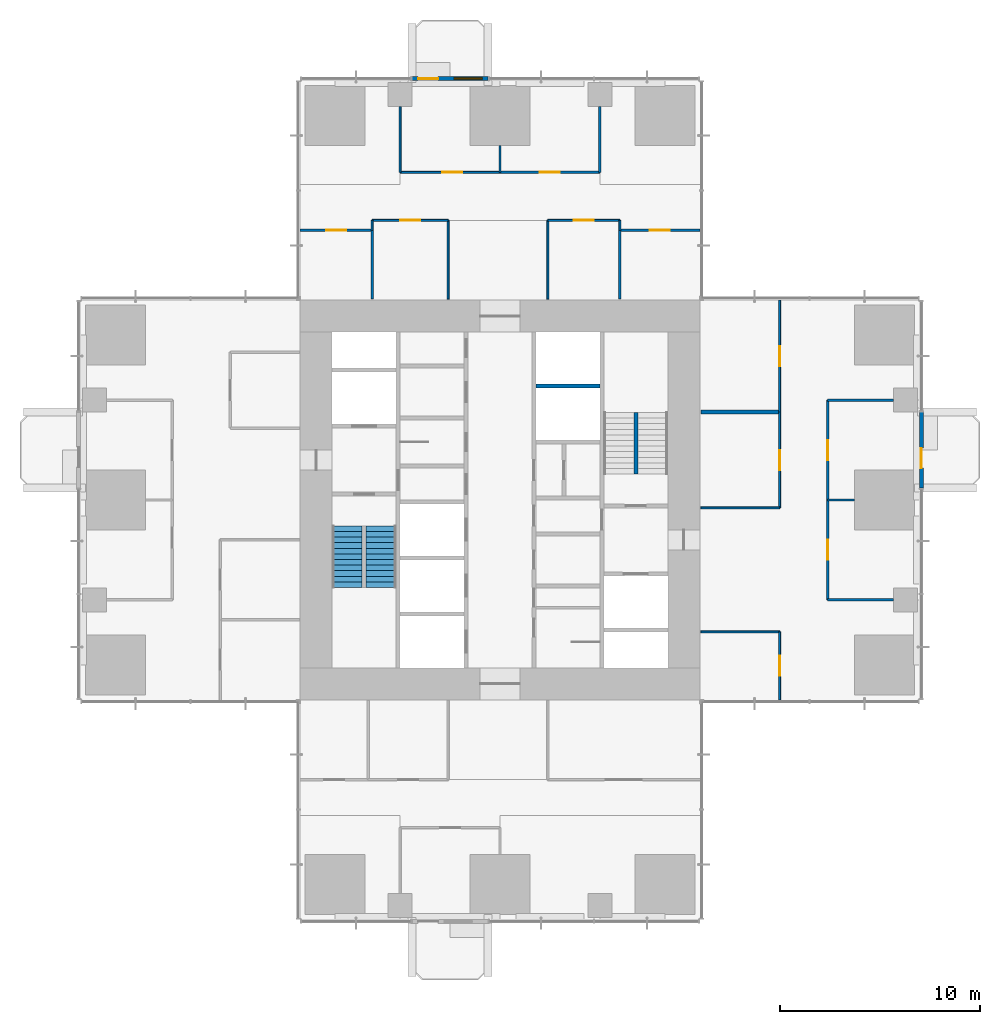
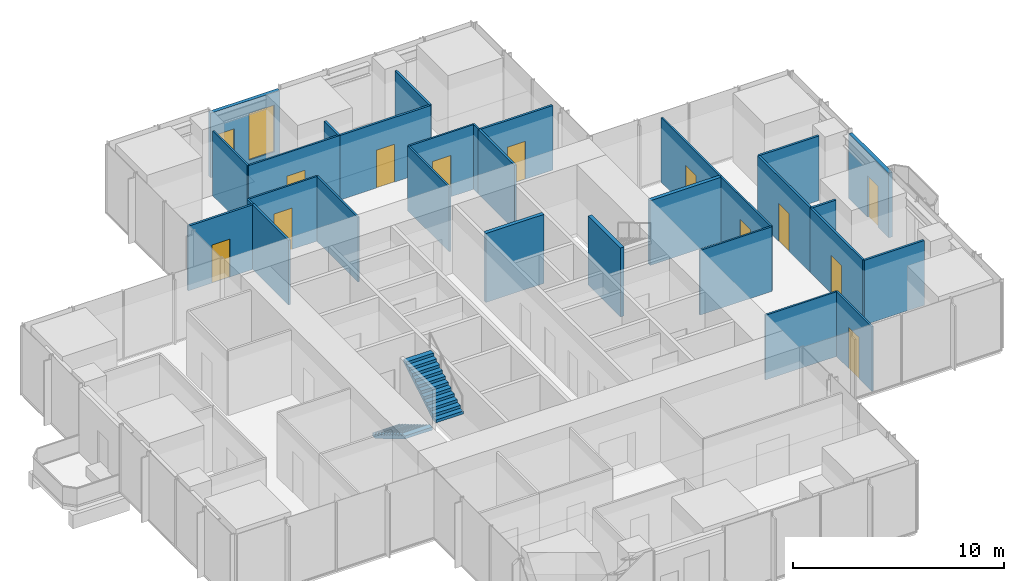
# One storey, part 10 of 14: 30 walls, 13 doors, 2 stair flights, 1 window, 14 openings, 1 element without a shape of its own.
"""IFC4 building model written with IfcOpenShell, lengths in metres."""

from ifc_helpers import new_model, si_unit, direction, frame, frame_2d, origin, place, context, subcontext, project, spatial, polyline, rectangle, outline, extrude, material, layer, layer_set, type_object, element, fill, aggregate, save


model = new_model("IFC4")

# Units and contexts
model_context = context("Model", 3, precision=1e-05, world=origin(), true_north=direction((0.0, 1.0)))
body_context = subcontext(model_context, "Body", "Model", "MODEL_VIEW")
ifc_project = project(units=[si_unit("LENGTHUNIT", "METRE"), si_unit("AREAUNIT", "SQUARE_METRE"), si_unit("VOLUMEUNIT", "CUBIC_METRE"), si_unit("PLANEANGLEUNIT", "RADIAN"), si_unit("MASSUNIT", "GRAM", prefix="KILO")], contexts=[model_context])

# Site, building, storey
site_placement = place(None, origin())
site = spatial("IfcSite", under=ifc_project, at=site_placement, CompositionType="ELEMENT")
building_placement = place(site_placement, origin())
building = spatial("IfcBuilding", under=site, at=building_placement, Name="Svetlomir Tower", CompositionType="ELEMENT")
storey_placement = place(building_placement, frame((0.0, 0.0, 108.5)))
storey = spatial("IfcBuildingStorey", under=building, at=storey_placement, Name="L25", CompositionType="ELEMENT", Elevation=108.5)

# Wall
ifc_material_1 = material(Name="Gypsum board on twin steel studs", Category="steel")
ifc_layer_1 = layer(ifc_material_1, 0.199951171875)
ifc_layer_set_1 = layer_set([ifc_layer_1], Name="Gypsum board on twin steel studs")
wall_type_1 = type_object("IfcWallType", Name="ACOUSTIC PARTITION 200", PredefinedType="PARTITIONING", material=ifc_layer_set_1)
wall_1_placement = place(storey_placement, frame((31.050048828125, 25.39990234375, 0.0), z_axis=(0.0, 0.0, 1.0), x_axis=(1.0, 0.0, 0.0)))
element("IfcWall", 1, at=wall_1_placement, inside=storey, type_object=wall_type_1, Name="Acoustic partition L25", PredefinedType="PARTITIONING", context=body_context, shape_type="SweptSolid", body=[
    extrude(rectangle(XDim=3.949951171875, YDim=0.199951171875, at=frame_2d((1.97509765625, 0.0))), origin(), (0.0, 0.0, 1.0), 3.75),
])

# Wall, opening, door
ifc_material_2 = material(Name="Bronze anodised aluminium glazed screen", Category="aluminium")
ifc_layer_2 = layer(ifc_material_2, 0.199951171875)
ifc_layer_set_2 = layer_set([ifc_layer_2], Name="Bronze anodised aluminium glazed screen")
wall_type_2 = type_object("IfcWallType", Name="BALCONY SCREEN WALL 200", PredefinedType="USERDEFINED", material=ifc_layer_set_2)
wall_2_placement = place(storey_placement, frame((42.10009765625, 21.60009765625, 0.0), z_axis=(0.0, 0.0, 1.0), x_axis=(0.0, 1.0, 0.0)))
wall_2 = element("IfcWall", 2, at=wall_2_placement, inside=storey, type_object=wall_type_2, Name="Balcony screen E", ObjectType="GLAZED SCREEN", PredefinedType="USERDEFINED", context=body_context, shape_type="SweptSolid", body=[
    extrude(rectangle(XDim=3.7998046875, YDim=0.199951171875, at=frame_2d((1.89990234375, 0.0))), origin(), (0.0, 0.0, 1.0), 3.75),
])
opening_1_placement = place(wall_2_placement, frame((1.0, 0.0, 0.0)))
opening_1 = element("IfcOpeningElement", 3, at=opening_1_placement, cuts=wall_2, Name="Opening BD", PredefinedType="OPENING", context=body_context, shape_type="SweptSolid", body=[
    extrude(rectangle(XDim=1.0, YDim=2.39990234375, at=frame_2d((0.5, 1.199951171875))), frame((0.0, 0.10986328125, 0.0), z_axis=(0.0, -1.0, 0.0), x_axis=(1.0, 0.0, 0.0)), (0.0, 0.0, 1.0), 0.219970703125),
])
ifc_material_3 = material(Name="Bronze anodised aluminium glazed door", Category="aluminium")
door_type_1 = type_object("IfcDoorType", Name="BALCONY DOOR BD 1000x2400", OperationType="SINGLE_SWING_LEFT", PredefinedType="DOOR", material=ifc_material_3)
door_1_placement = place(opening_1_placement, origin())
door_1 = element("IfcDoor", 4, at=door_1_placement, inside=storey, type_object=door_type_1, Name="Balcony screen E door", OperationType="SINGLE_SWING_LEFT", OverallHeight=2.39990234375, OverallWidth=1.0, PredefinedType="DOOR", context=body_context, shape_type="SweptSolid", body=[
    extrude(rectangle(XDim=1.0, YDim=2.39990234375, at=frame_2d((0.5, 1.199951171875))), frame((0.0, 0.02490234375, 0.0), z_axis=(0.0, -1.0, 0.0), x_axis=(1.0, 0.0, 0.0)), (0.0, 0.0, 1.0), 0.050048828125),
])
fill(opening_1, door_1)

# Wall, openings, door, window
wall_3_placement = place(storey_placement, frame((20.39990234375, 42.10009765625, 0.0), z_axis=(0.0, 0.0, 1.0), x_axis=(-1.0, 0.0, 0.0)))
wall_3 = element("IfcWall", 5, at=wall_3_placement, inside=storey, type_object=wall_type_2, Name="Balcony screen N", ObjectType="GLAZED SCREEN", PredefinedType="USERDEFINED", context=body_context, shape_type="SweptSolid", body=[
    extrude(rectangle(XDim=3.7998046875, YDim=0.199951171875, at=frame_2d((1.89990234375, 0.0))), origin(), (0.0, 0.0, 1.0), 3.75),
])
opening_2_placement = place(wall_3_placement, frame((2.5, 0.0, 0.0)))
opening_2 = element("IfcOpeningElement", 6, at=opening_2_placement, cuts=wall_3, Name="Opening BD", PredefinedType="OPENING", context=body_context, shape_type="SweptSolid", body=[
    extrude(rectangle(XDim=1.0, YDim=2.39990234375, at=frame_2d((0.5, 1.199951171875))), frame((0.0, 0.10986328125, 0.0), z_axis=(0.0, -1.0, 0.0), x_axis=(1.0, 0.0, 0.0)), (0.0, 0.0, 1.0), 0.219970703125),
])
opening_3_placement = place(wall_3_placement, frame((0.300048828125, 0.0, 0.300048828125)))
opening_3 = element("IfcOpeningElement", 7, at=opening_3_placement, cuts=wall_3, Name="Opening WS2", PredefinedType="OPENING", context=body_context, shape_type="SweptSolid", body=[
    extrude(rectangle(XDim=1.39990234375, YDim=2.699951171875, at=frame_2d((0.699951171875, 1.35009765625))), frame((0.0, 0.10986328125, 0.0), z_axis=(0.0, -1.0, 0.0), x_axis=(1.0, 0.0, 0.0)), (0.0, 0.0, 1.0), 0.219970703125),
])
door_2_placement = place(opening_2_placement, origin())
door_2 = element("IfcDoor", 8, at=door_2_placement, inside=storey, type_object=door_type_1, Name="Balcony screen N door", OperationType="SINGLE_SWING_LEFT", OverallHeight=2.39990234375, OverallWidth=1.0, PredefinedType="DOOR", context=body_context, shape_type="SweptSolid", body=[
    extrude(rectangle(XDim=1.0, YDim=2.39990234375, at=frame_2d((0.5, 1.199951171875))), frame((0.0, 0.02490234375, 0.0), z_axis=(0.0, -1.0, 0.0), x_axis=(1.0, 0.0, 0.0)), (0.0, 0.0, 1.0), 0.050048828125),
])
fill(opening_2, door_2)
ifc_material_4 = material(Name="Bronze anodised aluminium window", Category="aluminium")
window_type = type_object("IfcWindowType", Name="SCREEN WINDOW WS2 1400x2700", PartitioningType="SINGLE_PANEL", PredefinedType="WINDOW", material=ifc_material_4)
window_placement = place(opening_3_placement, origin())
window = element("IfcWindow", 9, at=window_placement, inside=storey, type_object=window_type, Name="Balcony screen N window 1", OverallHeight=2.699951171875, OverallWidth=1.39990234375, PartitioningType="SINGLE_PANEL", PredefinedType="WINDOW", context=body_context, shape_type="SweptSolid", body=[
    extrude(rectangle(XDim=1.39990234375, YDim=2.699951171875, at=frame_2d((0.699951171875, 1.35009765625))), frame((0.0, 0.030029296875, 0.0), z_axis=(0.0, -1.0, 0.0), x_axis=(1.0, 0.0, 0.0)), (0.0, 0.0, 1.0), 0.06005859375),
])
fill(opening_3, window)

# Walls
ifc_material_5 = material(Name="Concrete C60/75", Category="concrete")
ifc_layer_3 = layer(ifc_material_5, 0.199951171875)
ifc_layer_set_3 = layer_set([ifc_layer_3], Name="Concrete C60/75")
wall_type_3 = type_object("IfcWallType", Name="CORE INNER WALL 200", PredefinedType="SHEAR", material=ifc_layer_set_3)
wall_4_placement = place(storey_placement, frame((22.800048828125, 26.699951171875, -0.050048828125), z_axis=(0.0, 0.0, 1.0), x_axis=(1.0, 0.0, 0.0)))
element("IfcWall", 10, at=wall_4_placement, inside=storey, type_object=wall_type_3, Name="Core inner wall 22.8-26/26.7 L25", PredefinedType="SHEAR", context=body_context, shape_type="SweptSolid", body=[
    extrude(rectangle(XDim=3.199951171875, YDim=0.199951171875, at=frame_2d((1.60009765625, 0.0))), origin(), (0.0, 0.0, 1.0), 4.0),
])
ifc_material_6 = material(Name="Framed laminated glass partition", Category="glass")
ifc_layer_4 = layer(ifc_material_6, 0.10009765625)
ifc_layer_set_4 = layer_set([ifc_layer_4], Name="Framed laminated glass partition")
wall_type_4 = type_object("IfcWallType", Name="GLAZED PARTITION 100", PredefinedType="PARTITIONING", material=ifc_layer_set_4)
wall_5_placement = place(storey_placement, frame((14.60009765625, 34.5, 0.0), z_axis=(0.0, 0.0, 1.0), x_axis=(0.0, 1.0, 0.0)))
element("IfcWall", 11, at=wall_5_placement, inside=storey, type_object=wall_type_4, Name="Glazed partition L25", PredefinedType="PARTITIONING", context=body_context, shape_type="SweptSolid", body=[
    extrude(rectangle(XDim=0.5, YDim=0.10009765625, at=frame_2d((0.25, 0.0))), origin(), (0.0, 0.0, 1.0), 3.75),
])

# Wall, opening, door
wall_6_placement = place(storey_placement, frame((14.60009765625, 35.0, 0.0), z_axis=(0.0, 0.0, 1.0), x_axis=(1.0, 0.0, 0.0)))
wall_6 = element("IfcWall", 12, at=wall_6_placement, inside=storey, type_object=wall_type_4, Name="Glazed partition L25", PredefinedType="PARTITIONING", context=body_context, shape_type="SweptSolid", body=[
    extrude(rectangle(XDim=3.7998046875, YDim=0.10009765625, at=frame_2d((1.89990234375, 0.0))), origin(), (0.0, 0.0, 1.0), 3.75),
])
opening_4_placement = place(wall_6_placement, frame((1.39990234375, 0.0, 0.0)))
opening_4 = element("IfcOpeningElement", 13, at=opening_4_placement, cuts=wall_6, Name="Opening DG", PredefinedType="OPENING", context=body_context, shape_type="SweptSolid", body=[
    extrude(rectangle(XDim=1.0, YDim=2.39990234375, at=frame_2d((0.5, 1.199951171875))), frame((0.0, 0.06005859375, 0.0), z_axis=(0.0, -1.0, 0.0), x_axis=(1.0, 0.0, 0.0)), (0.0, 0.0, 1.0), 0.1201171875),
])
ifc_material_7 = material(Name="Framed laminated glass door", Category="glass")
door_type_2 = type_object("IfcDoorType", Name="GLAZED DOOR DG 1000x2400", OperationType="SINGLE_SWING_LEFT", PredefinedType="DOOR", material=ifc_material_7)
door_3_placement = place(opening_4_placement, origin())
door_3 = element("IfcDoor", 14, at=door_3_placement, inside=storey, type_object=door_type_2, Name="Focus room 2 door L25", OperationType="SINGLE_SWING_LEFT", OverallHeight=2.39990234375, OverallWidth=1.0, PredefinedType="DOOR", context=body_context, shape_type="SweptSolid", body=[
    extrude(rectangle(XDim=1.0, YDim=2.39990234375, at=frame_2d((0.5, 1.199951171875))), frame((0.0, 0.02490234375, 0.0), z_axis=(0.0, -1.0, 0.0), x_axis=(1.0, 0.0, 0.0)), (0.0, 0.0, 1.0), 0.050048828125),
])
fill(opening_4, door_3)

# Wall
wall_7_placement = place(storey_placement, frame((16.0, 37.39990234375, 0.0), z_axis=(0.0, 0.0, 1.0), x_axis=(0.0, 1.0, 0.0)))
element("IfcWall", 15, at=wall_7_placement, inside=storey, type_object=wall_type_4, Name="Glazed partition L25", PredefinedType="PARTITIONING", context=body_context, shape_type="SweptSolid", body=[
    extrude(rectangle(XDim=3.2900390625, YDim=0.10009765625, at=frame_2d((1.64501953125, 0.0))), origin(), (0.0, 0.0, 1.0), 3.75),
])

# Wall, opening, door
wall_8_placement = place(storey_placement, frame((16.0, 37.39990234375, 0.0), z_axis=(0.0, 0.0, 1.0), x_axis=(1.0, 0.0, 0.0)))
wall_8 = element("IfcWall", 16, at=wall_8_placement, inside=storey, type_object=wall_type_4, Name="Glazed partition L25", PredefinedType="PARTITIONING", context=body_context, shape_type="SweptSolid", body=[
    extrude(rectangle(XDim=5.0, YDim=0.10009765625, at=frame_2d((2.5, 0.0))), origin(), (0.0, 0.0, 1.0), 3.75),
])
opening_5_placement = place(wall_8_placement, frame((2.10009765625, 0.0, 0.0)))
opening_5 = element("IfcOpeningElement", 17, at=opening_5_placement, cuts=wall_8, Name="Opening DG", PredefinedType="OPENING", context=body_context, shape_type="SweptSolid", body=[
    extrude(rectangle(XDim=1.0, YDim=2.39990234375, at=frame_2d((0.5, 1.199951171875))), frame((0.0, 0.06005859375, 0.0), z_axis=(0.0, -1.0, 0.0), x_axis=(1.0, 0.0, 0.0)), (0.0, 0.0, 1.0), 0.1201171875),
])
door_4_placement = place(opening_5_placement, origin())
door_4 = element("IfcDoor", 18, at=door_4_placement, inside=storey, type_object=door_type_2, Name="Law library door L25", OperationType="SINGLE_SWING_RIGHT", OverallHeight=2.39990234375, OverallWidth=1.0, PredefinedType="DOOR", context=body_context, shape_type="SweptSolid", body=[
    extrude(rectangle(XDim=1.0, YDim=2.39990234375, at=frame_2d((0.5, 1.199951171875))), frame((0.0, 0.02490234375, 0.0), z_axis=(0.0, -1.0, 0.0), x_axis=(1.0, 0.0, 0.0)), (0.0, 0.0, 1.0), 0.050048828125),
])
fill(opening_5, door_4)

# Walls
for number, where, z_axis, x_axis, name in (
    (19, (18.39990234375, 31.050048828125, 0.0), (0.0, 0.0, 1.0), (0.0, 1.0, 0.0), "Glazed partition L25"),
    (20, (23.39990234375, 31.050048828125, 0.0), (0.0, 0.0, 1.0), (0.0, 1.0, 0.0), "Glazed partition L25"),
):
    element("IfcWall", number, at=place(storey_placement, frame(where, z_axis=z_axis, x_axis=x_axis)), inside=storey, type_object=wall_type_4, Name=name, PredefinedType="PARTITIONING", context=body_context, shape_type="SweptSolid", body=[
        extrude(rectangle(XDim=3.949951171875, YDim=0.10009765625, at=frame_2d((1.97509765625, 0.0))), origin(), (0.0, 0.0, 1.0), 3.75),
    ])

# Wall, opening, door
wall_9_placement = place(storey_placement, frame((23.39990234375, 35.0, 0.0), z_axis=(0.0, 0.0, 1.0), x_axis=(1.0, 0.0, 0.0)))
wall_9 = element("IfcWall", 21, at=wall_9_placement, inside=storey, type_object=wall_type_4, Name="Glazed partition L25", PredefinedType="PARTITIONING", context=body_context, shape_type="SweptSolid", body=[
    extrude(rectangle(XDim=3.60009765625, YDim=0.10009765625, at=frame_2d((1.800048828125, 0.0))), origin(), (0.0, 0.0, 1.0), 3.75),
])
opening_6_placement = place(wall_9_placement, frame((1.300048828125, 0.0, 0.0)))
opening_6 = element("IfcOpeningElement", 22, at=opening_6_placement, cuts=wall_9, Name="Opening DG", PredefinedType="OPENING", context=body_context, shape_type="SweptSolid", body=[
    extrude(rectangle(XDim=1.0, YDim=2.39990234375, at=frame_2d((0.5, 1.199951171875))), frame((0.0, 0.06005859375, 0.0), z_axis=(0.0, -1.0, 0.0), x_axis=(1.0, 0.0, 0.0)), (0.0, 0.0, 1.0), 0.1201171875),
])
door_5_placement = place(opening_6_placement, origin())
door_5 = element("IfcDoor", 23, at=door_5_placement, inside=storey, type_object=door_type_2, Name="Focus room 3 door L25", OperationType="SINGLE_SWING_RIGHT", OverallHeight=2.39990234375, OverallWidth=1.0, PredefinedType="DOOR", context=body_context, shape_type="SweptSolid", body=[
    extrude(rectangle(XDim=1.0, YDim=2.39990234375, at=frame_2d((0.5, 1.199951171875))), frame((0.0, 0.02490234375, 0.0), z_axis=(0.0, -1.0, 0.0), x_axis=(1.0, 0.0, 0.0)), (0.0, 0.0, 1.0), 0.050048828125),
])
fill(opening_6, door_5)

# Walls
wall_10_placement = place(storey_placement, frame((27.0, 34.5, 0.0), z_axis=(0.0, 0.0, 1.0), x_axis=(0.0, 1.0, 0.0)))
element("IfcWall", 24, at=wall_10_placement, inside=storey, type_object=wall_type_4, Name="Glazed partition L25", PredefinedType="PARTITIONING", context=body_context, shape_type="SweptSolid", body=[
    extrude(rectangle(XDim=0.5, YDim=0.10009765625, at=frame_2d((0.25, 0.0))), origin(), (0.0, 0.0, 1.0), 3.75),
])
for number, where, z_axis, x_axis, name in (
    (25, (31.050048828125, 14.39990234375, 0.0), (0.0, 0.0, 1.0), (1.0, 0.0, 0.0), "Glazed partition L25"),
    (26, (31.050048828125, 20.60009765625, 0.0), (0.0, 0.0, 1.0), (1.0, 0.0, 0.0), "Glazed partition L25"),
):
    element("IfcWall", number, at=place(storey_placement, frame(where, z_axis=z_axis, x_axis=x_axis)), inside=storey, type_object=wall_type_4, Name=name, PredefinedType="PARTITIONING", context=body_context, shape_type="SweptSolid", body=[
        extrude(rectangle(XDim=3.949951171875, YDim=0.10009765625, at=frame_2d((1.97509765625, 0.0))), origin(), (0.0, 0.0, 1.0), 3.75),
    ])

# Wall, opening, door
wall_11_placement = place(storey_placement, frame((35.0, 11.0, 0.0), z_axis=(0.0, 0.0, 1.0), x_axis=(0.0, 1.0, 0.0)))
wall_11 = element("IfcWall", 27, at=wall_11_placement, inside=storey, type_object=wall_type_4, Name="Glazed partition L25", PredefinedType="PARTITIONING", context=body_context, shape_type="SweptSolid", body=[
    extrude(rectangle(XDim=3.39990234375, YDim=0.10009765625, at=frame_2d((1.699951171875, 0.0))), origin(), (0.0, 0.0, 1.0), 3.75),
])
opening_7_placement = place(wall_11_placement, frame((1.199951171875, 0.0, 0.0)))
opening_7 = element("IfcOpeningElement", 28, at=opening_7_placement, cuts=wall_11, Name="Opening DG", PredefinedType="OPENING", context=body_context, shape_type="SweptSolid", body=[
    extrude(rectangle(XDim=1.0, YDim=2.39990234375, at=frame_2d((0.5, 1.199951171875))), frame((0.0, 0.06005859375, 0.0), z_axis=(0.0, -1.0, 0.0), x_axis=(1.0, 0.0, 0.0)), (0.0, 0.0, 1.0), 0.1201171875),
])
door_6_placement = place(opening_7_placement, origin())
door_6 = element("IfcDoor", 29, at=door_6_placement, inside=storey, type_object=door_type_2, Name="Phone rooms door L25", OperationType="SINGLE_SWING_RIGHT", OverallHeight=2.39990234375, OverallWidth=1.0, PredefinedType="DOOR", context=body_context, shape_type="SweptSolid", body=[
    extrude(rectangle(XDim=1.0, YDim=2.39990234375, at=frame_2d((0.5, 1.199951171875))), frame((0.0, 0.02490234375, 0.0), z_axis=(0.0, -1.0, 0.0), x_axis=(1.0, 0.0, 0.0)), (0.0, 0.0, 1.0), 0.050048828125),
])
fill(opening_7, door_6)

wall_12_placement = place(storey_placement, frame((35.0, 20.60009765625, 0.0), z_axis=(0.0, 0.0, 1.0), x_axis=(0.0, 1.0, 0.0)))
wall_12 = element("IfcWall", 30, at=wall_12_placement, inside=storey, type_object=wall_type_4, Name="Glazed partition L25", PredefinedType="PARTITIONING", context=body_context, shape_type="SweptSolid", body=[
    extrude(rectangle(XDim=4.7998046875, YDim=0.10009765625, at=frame_2d((2.39990234375, 0.0))), origin(), (0.0, 0.0, 1.0), 3.75),
])
opening_8_placement = place(wall_12_placement, frame((1.89990234375, 0.0, 0.0)))
opening_8 = element("IfcOpeningElement", 31, at=opening_8_placement, cuts=wall_12, Name="Opening DG", PredefinedType="OPENING", context=body_context, shape_type="SweptSolid", body=[
    extrude(rectangle(XDim=1.0, YDim=2.39990234375, at=frame_2d((0.5, 1.199951171875))), frame((0.0, 0.06005859375, 0.0), z_axis=(0.0, -1.0, 0.0), x_axis=(1.0, 0.0, 0.0)), (0.0, 0.0, 1.0), 0.1201171875),
])
door_7_placement = place(opening_8_placement, origin())
door_7 = element("IfcDoor", 32, at=door_7_placement, inside=storey, type_object=door_type_2, Name="Meeting room, 8 seats door L25", OperationType="SINGLE_SWING_RIGHT", OverallHeight=2.39990234375, OverallWidth=1.0, PredefinedType="DOOR", context=body_context, shape_type="SweptSolid", body=[
    extrude(rectangle(XDim=1.0, YDim=2.39990234375, at=frame_2d((0.5, 1.199951171875))), frame((0.0, 0.02490234375, 0.0), z_axis=(0.0, -1.0, 0.0), x_axis=(1.0, 0.0, 0.0)), (0.0, 0.0, 1.0), 0.050048828125),
])
fill(opening_8, door_7)

wall_13_placement = place(storey_placement, frame((35.0, 25.39990234375, 0.0), z_axis=(0.0, 0.0, 1.0), x_axis=(0.0, 1.0, 0.0)))
wall_13 = element("IfcWall", 33, at=wall_13_placement, inside=storey, type_object=wall_type_4, Name="Glazed partition L25", PredefinedType="PARTITIONING", context=body_context, shape_type="SweptSolid", body=[
    extrude(rectangle(XDim=5.60009765625, YDim=0.10009765625, at=frame_2d((2.800048828125, 0.0))), origin(), (0.0, 0.0, 1.0), 3.75),
])
opening_9_placement = place(wall_13_placement, frame((2.300048828125, 0.0, 0.0)))
opening_9 = element("IfcOpeningElement", 34, at=opening_9_placement, cuts=wall_13, Name="Opening DG", PredefinedType="OPENING", context=body_context, shape_type="SweptSolid", body=[
    extrude(rectangle(XDim=1.0, YDim=2.39990234375, at=frame_2d((0.5, 1.199951171875))), frame((0.0, 0.06005859375, 0.0), z_axis=(0.0, -1.0, 0.0), x_axis=(1.0, 0.0, 0.0)), (0.0, 0.0, 1.0), 0.1201171875),
])
door_8_placement = place(opening_9_placement, origin())
door_8 = element("IfcDoor", 35, at=door_8_placement, inside=storey, type_object=door_type_2, Name="Data room door L25", OperationType="SINGLE_SWING_LEFT", OverallHeight=2.39990234375, OverallWidth=1.0, PredefinedType="DOOR", context=body_context, shape_type="SweptSolid", body=[
    extrude(rectangle(XDim=1.0, YDim=2.39990234375, at=frame_2d((0.5, 1.199951171875))), frame((0.0, 0.02490234375, 0.0), z_axis=(0.0, -1.0, 0.0), x_axis=(1.0, 0.0, 0.0)), (0.0, 0.0, 1.0), 0.050048828125),
])
fill(opening_9, door_8)

ifc_material_8 = material(Name="Gypsum board on steel studs", Category="steel")
ifc_layer_5 = layer(ifc_material_8, 0.1201171875)
ifc_layer_set_5 = layer_set([ifc_layer_5], Name="Gypsum board on steel studs")
wall_type_5 = type_object("IfcWallType", Name="PARTITION 120", PredefinedType="PARTITIONING", material=ifc_layer_set_5)
wall_14_placement = place(storey_placement, frame((11.0, 34.5, 0.0), z_axis=(0.0, 0.0, 1.0), x_axis=(1.0, 0.0, 0.0)))
wall_14 = element("IfcWall", 36, at=wall_14_placement, inside=storey, type_object=wall_type_5, Name="Partition L25", PredefinedType="PARTITIONING", context=body_context, shape_type="SweptSolid", body=[
    extrude(rectangle(XDim=3.60009765625, YDim=0.1201171875, at=frame_2d((1.800048828125, 0.0))), origin(), (0.0, 0.0, 1.0), 3.75),
])
opening_10_placement = place(wall_14_placement, frame((1.300048828125, 0.0, 0.0)))
opening_10 = element("IfcOpeningElement", 37, at=opening_10_placement, cuts=wall_14, Name="Opening DR", PredefinedType="OPENING", context=body_context, shape_type="SweptSolid", body=[
    extrude(rectangle(XDim=1.0, YDim=2.199951171875, at=frame_2d((0.5, 1.10009765625))), frame((0.0, 0.070068359375, 0.0), z_axis=(0.0, -1.0, 0.0), x_axis=(1.0, 0.0, 0.0)), (0.0, 0.0, 1.0), 0.14013671875),
])
ifc_material_9 = material(Name="Timber door, glazed side light", Category="wood")
door_type_3 = type_object("IfcDoorType", Name="DOOR DR 1000x2200", OperationType="SINGLE_SWING_LEFT", PredefinedType="DOOR", material=ifc_material_9)
door_9_placement = place(opening_10_placement, origin())
door_9 = element("IfcDoor", 38, at=door_9_placement, inside=storey, type_object=door_type_3, Name="Legal archive door L25", OperationType="SINGLE_SWING_RIGHT", OverallHeight=2.199951171875, OverallWidth=1.0, PredefinedType="DOOR", context=body_context, shape_type="SweptSolid", body=[
    extrude(rectangle(XDim=1.0, YDim=2.199951171875, at=frame_2d((0.5, 1.10009765625))), frame((0.0, 0.02490234375, 0.0), z_axis=(0.0, -1.0, 0.0), x_axis=(1.0, 0.0, 0.0)), (0.0, 0.0, 1.0), 0.050048828125),
])
fill(opening_10, door_9)

# Walls
wall_15_placement = place(storey_placement, frame((14.60009765625, 31.050048828125, 0.0), z_axis=(0.0, 0.0, 1.0), x_axis=(0.0, 1.0, 0.0)))
element("IfcWall", 39, at=wall_15_placement, inside=storey, type_object=wall_type_5, Name="Partition L25", PredefinedType="PARTITIONING", context=body_context, shape_type="SweptSolid", body=[
    extrude(rectangle(XDim=3.449951171875, YDim=0.1201171875, at=frame_2d((1.72509765625, 0.0))), origin(), (0.0, 0.0, 1.0), 3.75),
])
wall_16_placement = place(storey_placement, frame((21.0, 37.39990234375, 0.0), z_axis=(0.0, 0.0, 1.0), x_axis=(0.0, 1.0, 0.0)))
element("IfcWall", 40, at=wall_16_placement, inside=storey, type_object=wall_type_5, Name="Partition L25", PredefinedType="PARTITIONING", context=body_context, shape_type="SweptSolid", body=[
    extrude(rectangle(XDim=1.340087890625, YDim=0.1201171875, at=frame_2d((0.669921875, 0.0))), origin(), (0.0, 0.0, 1.0), 3.75),
])

# Wall, opening, door
wall_17_placement = place(storey_placement, frame((21.0, 37.39990234375, 0.0), z_axis=(0.0, 0.0, 1.0), x_axis=(1.0, 0.0, 0.0)))
wall_17 = element("IfcWall", 41, at=wall_17_placement, inside=storey, type_object=wall_type_5, Name="Partition L25", PredefinedType="PARTITIONING", context=body_context, shape_type="SweptSolid", body=[
    extrude(rectangle(XDim=5.0, YDim=0.1201171875, at=frame_2d((2.5, 0.0))), origin(), (0.0, 0.0, 1.0), 3.75),
])
opening_11_placement = place(wall_17_placement, frame((2.0, 0.0, 0.0)))
opening_11 = element("IfcOpeningElement", 42, at=opening_11_placement, cuts=wall_17, Name="Opening DR", PredefinedType="OPENING", context=body_context, shape_type="SweptSolid", body=[
    extrude(rectangle(XDim=1.0, YDim=2.199951171875, at=frame_2d((0.5, 1.10009765625))), frame((0.0, 0.070068359375, 0.0), z_axis=(0.0, -1.0, 0.0), x_axis=(1.0, 0.0, 0.0)), (0.0, 0.0, 1.0), 0.14013671875),
])
door_10_placement = place(opening_11_placement, origin())
door_10 = element("IfcDoor", 43, at=door_10_placement, inside=storey, type_object=door_type_3, Name="Counsel office 2 door L25", OperationType="SINGLE_SWING_LEFT", OverallHeight=2.199951171875, OverallWidth=1.0, PredefinedType="DOOR", context=body_context, shape_type="SweptSolid", body=[
    extrude(rectangle(XDim=1.0, YDim=2.199951171875, at=frame_2d((0.5, 1.10009765625))), frame((0.0, 0.02490234375, 0.0), z_axis=(0.0, -1.0, 0.0), x_axis=(1.0, 0.0, 0.0)), (0.0, 0.0, 1.0), 0.050048828125),
])
fill(opening_11, door_10)

# Walls
wall_18_placement = place(storey_placement, frame((26.0, 37.39990234375, 0.0), z_axis=(0.0, 0.0, 1.0), x_axis=(0.0, 1.0, 0.0)))
element("IfcWall", 44, at=wall_18_placement, inside=storey, type_object=wall_type_5, Name="Partition L25", PredefinedType="PARTITIONING", context=body_context, shape_type="SweptSolid", body=[
    extrude(rectangle(XDim=3.2900390625, YDim=0.1201171875, at=frame_2d((1.64501953125, 0.0))), origin(), (0.0, 0.0, 1.0), 3.75),
])
wall_19_placement = place(storey_placement, frame((27.0, 31.050048828125, 0.0), z_axis=(0.0, 0.0, 1.0), x_axis=(0.0, 1.0, 0.0)))
element("IfcWall", 45, at=wall_19_placement, inside=storey, type_object=wall_type_5, Name="Partition L25", PredefinedType="PARTITIONING", context=body_context, shape_type="SweptSolid", body=[
    extrude(rectangle(XDim=3.449951171875, YDim=0.1201171875, at=frame_2d((1.72509765625, 0.0))), origin(), (0.0, 0.0, 1.0), 3.75),
])

# Wall, opening, door
wall_20_placement = place(storey_placement, frame((27.0, 34.5, 0.0), z_axis=(0.0, 0.0, 1.0), x_axis=(1.0, 0.0, 0.0)))
wall_20 = element("IfcWall", 46, at=wall_20_placement, inside=storey, type_object=wall_type_5, Name="Partition L25", PredefinedType="PARTITIONING", context=body_context, shape_type="SweptSolid", body=[
    extrude(rectangle(XDim=4.0, YDim=0.1201171875, at=frame_2d((2.0, 0.0))), origin(), (0.0, 0.0, 1.0), 3.75),
])
opening_12_placement = place(wall_20_placement, frame((1.5, 0.0, 0.0)))
opening_12 = element("IfcOpeningElement", 47, at=opening_12_placement, cuts=wall_20, Name="Opening DR", PredefinedType="OPENING", context=body_context, shape_type="SweptSolid", body=[
    extrude(rectangle(XDim=1.0, YDim=2.199951171875, at=frame_2d((0.5, 1.10009765625))), frame((0.0, 0.070068359375, 0.0), z_axis=(0.0, -1.0, 0.0), x_axis=(1.0, 0.0, 0.0)), (0.0, 0.0, 1.0), 0.14013671875),
])
door_11_placement = place(opening_12_placement, origin())
door_11 = element("IfcDoor", 48, at=door_11_placement, inside=storey, type_object=door_type_3, Name="Print and copy room door L25", OperationType="SINGLE_SWING_LEFT", OverallHeight=2.199951171875, OverallWidth=1.0, PredefinedType="DOOR", context=body_context, shape_type="SweptSolid", body=[
    extrude(rectangle(XDim=1.0, YDim=2.199951171875, at=frame_2d((0.5, 1.10009765625))), frame((0.0, 0.02490234375, 0.0), z_axis=(0.0, -1.0, 0.0), x_axis=(1.0, 0.0, 0.0)), (0.0, 0.0, 1.0), 0.050048828125),
])
fill(opening_12, door_11)

wall_21_placement = place(storey_placement, frame((37.39990234375, 16.0, 0.0), z_axis=(0.0, 0.0, 1.0), x_axis=(0.0, 1.0, 0.0)))
wall_21 = element("IfcWall", 49, at=wall_21_placement, inside=storey, type_object=wall_type_5, Name="Partition L25", PredefinedType="PARTITIONING", context=body_context, shape_type="SweptSolid", body=[
    extrude(rectangle(XDim=5.0, YDim=0.1201171875, at=frame_2d((2.5, 0.0))), origin(), (0.0, 0.0, 1.0), 3.75),
])
opening_13_placement = place(wall_21_placement, frame((2.0, 0.0, 0.0)))
opening_13 = element("IfcOpeningElement", 50, at=opening_13_placement, cuts=wall_21, Name="Opening DR", PredefinedType="OPENING", context=body_context, shape_type="SweptSolid", body=[
    extrude(rectangle(XDim=1.0, YDim=2.199951171875, at=frame_2d((0.5, 1.10009765625))), frame((0.0, 0.070068359375, 0.0), z_axis=(0.0, -1.0, 0.0), x_axis=(1.0, 0.0, 0.0)), (0.0, 0.0, 1.0), 0.14013671875),
])
door_12_placement = place(opening_13_placement, origin())
door_12 = element("IfcDoor", 51, at=door_12_placement, inside=storey, type_object=door_type_3, Name="Legal assistants office door L25", OperationType="SINGLE_SWING_RIGHT", OverallHeight=2.199951171875, OverallWidth=1.0, PredefinedType="DOOR", context=body_context, shape_type="SweptSolid", body=[
    extrude(rectangle(XDim=1.0, YDim=2.199951171875, at=frame_2d((0.5, 1.10009765625))), frame((0.0, 0.02490234375, 0.0), z_axis=(0.0, -1.0, 0.0), x_axis=(1.0, 0.0, 0.0)), (0.0, 0.0, 1.0), 0.050048828125),
])
fill(opening_13, door_12)

# Wall
wall_22_placement = place(storey_placement, frame((37.39990234375, 16.0, 0.0), z_axis=(0.0, 0.0, 1.0), x_axis=(1.0, 0.0, 0.0)))
element("IfcWall", 52, at=wall_22_placement, inside=storey, type_object=wall_type_5, Name="Partition L25", PredefinedType="PARTITIONING", context=body_context, shape_type="SweptSolid", body=[
    extrude(rectangle(XDim=3.2900390625, YDim=0.1201171875, at=frame_2d((1.64501953125, 0.0))), origin(), (0.0, 0.0, 1.0), 3.75),
])

# Wall, opening, door
wall_23_placement = place(storey_placement, frame((37.39990234375, 21.0, 0.0), z_axis=(0.0, 0.0, 1.0), x_axis=(0.0, 1.0, 0.0)))
wall_23 = element("IfcWall", 53, at=wall_23_placement, inside=storey, type_object=wall_type_5, Name="Partition L25", PredefinedType="PARTITIONING", context=body_context, shape_type="SweptSolid", body=[
    extrude(rectangle(XDim=5.0, YDim=0.1201171875, at=frame_2d((2.5, 0.0))), origin(), (0.0, 0.0, 1.0), 3.75),
])
opening_14_placement = place(wall_23_placement, frame((2.0, 0.0, 0.0)))
opening_14 = element("IfcOpeningElement", 54, at=opening_14_placement, cuts=wall_23, Name="Opening DR", PredefinedType="OPENING", context=body_context, shape_type="SweptSolid", body=[
    extrude(rectangle(XDim=1.0, YDim=2.199951171875, at=frame_2d((0.5, 1.10009765625))), frame((0.0, 0.070068359375, 0.0), z_axis=(0.0, -1.0, 0.0), x_axis=(1.0, 0.0, 0.0)), (0.0, 0.0, 1.0), 0.14013671875),
])
door_13_placement = place(opening_14_placement, origin())
door_13 = element("IfcDoor", 55, at=door_13_placement, inside=storey, type_object=door_type_3, Name="General counsel office door L25", OperationType="SINGLE_SWING_LEFT", OverallHeight=2.199951171875, OverallWidth=1.0, PredefinedType="DOOR", context=body_context, shape_type="SweptSolid", body=[
    extrude(rectangle(XDim=1.0, YDim=2.199951171875, at=frame_2d((0.5, 1.10009765625))), frame((0.0, 0.02490234375, 0.0), z_axis=(0.0, -1.0, 0.0), x_axis=(1.0, 0.0, 0.0)), (0.0, 0.0, 1.0), 0.050048828125),
])
fill(opening_14, door_13)

# Walls
wall_24_placement = place(storey_placement, frame((37.39990234375, 21.0, 0.0), z_axis=(0.0, 0.0, 1.0), x_axis=(1.0, 0.0, 0.0)))
element("IfcWall", 56, at=wall_24_placement, inside=storey, type_object=wall_type_5, Name="Partition L25", PredefinedType="PARTITIONING", context=body_context, shape_type="SweptSolid", body=[
    extrude(rectangle(XDim=1.340087890625, YDim=0.1201171875, at=frame_2d((0.669921875, 0.0))), origin(), (0.0, 0.0, 1.0), 3.75),
])
wall_25_placement = place(storey_placement, frame((37.39990234375, 26.0, 0.0), z_axis=(0.0, 0.0, 1.0), x_axis=(1.0, 0.0, 0.0)))
element("IfcWall", 57, at=wall_25_placement, inside=storey, type_object=wall_type_5, Name="Partition L25", PredefinedType="PARTITIONING", context=body_context, shape_type="SweptSolid", body=[
    extrude(rectangle(XDim=3.2900390625, YDim=0.1201171875, at=frame_2d((1.64501953125, 0.0))), origin(), (0.0, 0.0, 1.0), 3.75),
])
ifc_material_10 = material(Name="Concrete C60/75", Category="concrete")
ifc_layer_6 = layer(ifc_material_10, 0.199951171875)
ifc_layer_set_6 = layer_set([ifc_layer_6], Name="Concrete C60/75")
wall_type_6 = type_object("IfcWallType", Name="STAIR SPINE WALL 200", PredefinedType="PARTITIONING", material=ifc_layer_set_6)
wall_26_placement = place(storey_placement, frame((27.800048828125, 22.300048828125, 0.0), z_axis=(0.0, 0.0, 1.0), x_axis=(0.0, 1.0, 0.0)))
element("IfcWall", 58, at=wall_26_placement, inside=storey, type_object=wall_type_6, Name="Stair S2 spine wall L25", PredefinedType="PARTITIONING", context=body_context, shape_type="SweptSolid", body=[
    extrude(rectangle(XDim=3.079833984375, YDim=0.199951171875, at=frame_2d((1.5400390625, 0.0))), origin(), (0.0, 0.0, 1.0), 4.0),
])

# Stair, stair flights
ifc_material_11 = material(Name="Concrete C60/75", Category="concrete")
stair_type = type_object("IfcStairType", Name="EXIT STAIR 3200 RISE 4000", PredefinedType="HALF_TURN_STAIR", material=ifc_material_11)
stair_placement = place(storey_placement, origin())
stair = element("IfcStair", 59, at=stair_placement, inside=storey, type_object=stair_type, Name="Stair S1 L25 to L26", PredefinedType="HALF_TURN_STAIR")
ifc_material_12 = material(Name="Concrete C60/75", Category="concrete")
stair_flight_type = type_object("IfcStairFlightType", Name="STAIR FLIGHT 1500 OF 12 RISERS", PredefinedType="STRAIGHT", material=ifc_material_12)
stair_flight_1_placement = place(storey_placement, frame((13.35009765625, 19.699951171875, 0.0), z_axis=(0.0, 0.0, 1.0), x_axis=(0.0, -1.0, 0.0)))
stair_flight_1 = element("IfcStairFlight", 60, at=stair_flight_1_placement, type_object=stair_flight_type, Name="S1 flight 1", NumberOfRisers=12, NumberOfTreads=11, PredefinedType="STRAIGHT", RiserHeight=0.166666667, TreadLength=0.28, context=body_context, shape_type="SweptSolid", body=[
    extrude(outline(polyline([(0.0, 0.0), (0.0, 0.166748046875), (0.280029296875, 0.166748046875), (0.280029296875, 0.333251953125), (0.56005859375, 0.333251953125), (0.56005859375, 0.5), (0.840087890625, 0.5), (0.840087890625, 0.666748046875), (1.1201171875, 0.666748046875), (1.1201171875, 0.833251953125), (1.39990234375, 0.833251953125), (1.39990234375, 1.0), (1.679931640625, 1.0), (1.679931640625, 1.166748046875), (1.9599609375, 1.166748046875), (1.9599609375, 1.333251953125), (2.239990234375, 1.333251953125), (2.239990234375, 1.5), (2.52001953125, 1.5), (2.52001953125, 1.666748046875), (2.800048828125, 1.666748046875), (2.800048828125, 1.833251953125), (3.080078125, 1.833251953125), (3.080078125, 2.0), (3.080078125, 1.658935546875), (0.29296875, 0.0), (0.0, 0.0)])), frame((0.0, 0.75, 0.0), z_axis=(0.0, -1.0, 0.0), x_axis=(1.0, 0.0, 0.0)), (0.0, 0.0, 1.0), 1.5),
])
stair_flight_2_placement = place(storey_placement, frame((15.050048828125, 16.6201171875, 2.0), z_axis=(0.0, 0.0, 1.0), x_axis=(0.0, 1.0, 0.0)))
stair_flight_2 = element("IfcStairFlight", 61, at=stair_flight_2_placement, type_object=stair_flight_type, Name="S1 flight 2", NumberOfRisers=12, NumberOfTreads=11, PredefinedType="STRAIGHT", RiserHeight=0.166666667, TreadLength=0.28, context=body_context, shape_type="SweptSolid", body=[
    extrude(outline(polyline([(0.0, 0.0), (0.0, 0.166748046875), (0.280029296875, 0.166748046875), (0.280029296875, 0.333251953125), (0.56005859375, 0.333251953125), (0.56005859375, 0.5), (0.840087890625, 0.5), (0.840087890625, 0.666748046875), (1.1201171875, 0.666748046875), (1.1201171875, 0.833251953125), (1.39990234375, 0.833251953125), (1.39990234375, 1.0), (1.679931640625, 1.0), (1.679931640625, 1.166748046875), (1.9599609375, 1.166748046875), (1.9599609375, 1.333251953125), (2.239990234375, 1.333251953125), (2.239990234375, 1.5), (2.52001953125, 1.5), (2.52001953125, 1.666748046875), (2.800048828125, 1.666748046875), (2.800048828125, 1.833251953125), (3.080078125, 1.833251953125), (3.080078125, 2.0), (3.080078125, 1.658935546875), (0.29296875, 0.0), (0.0, 0.0)])), frame((0.0, 0.75, 0.0), z_axis=(0.0, -1.0, 0.0), x_axis=(1.0, 0.0, 0.0)), (0.0, 0.0, 1.0), 1.5),
])
aggregate(stair, [stair_flight_1, stair_flight_2])

save(model, "model.ifc")
